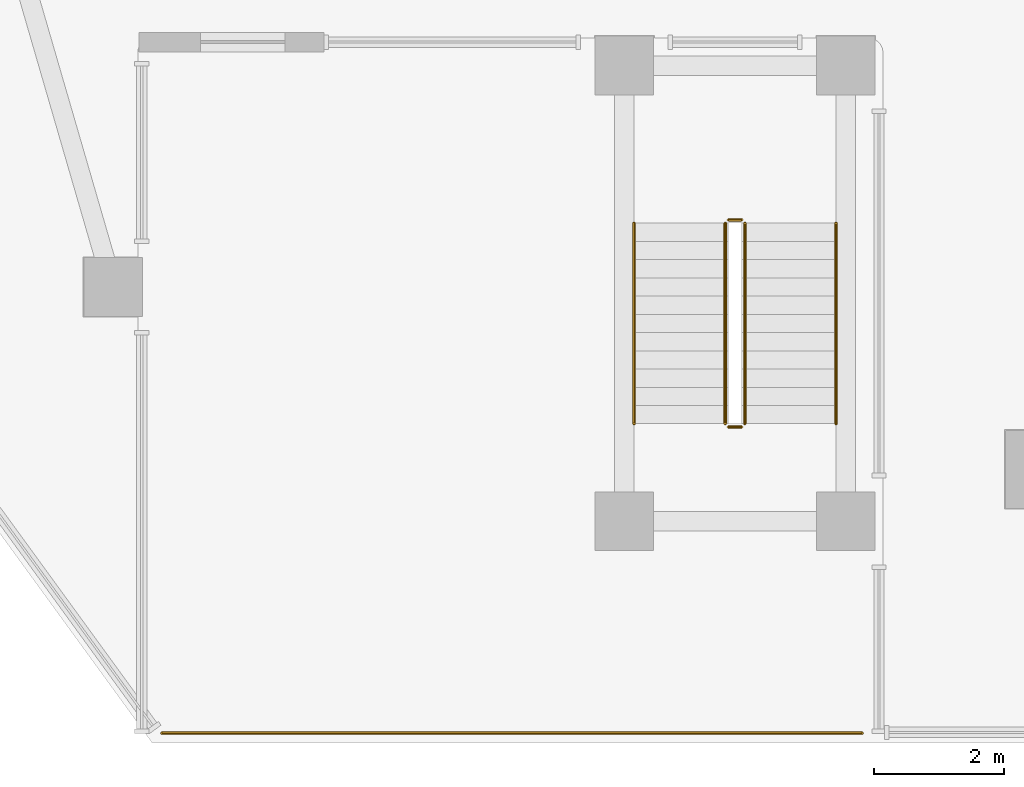
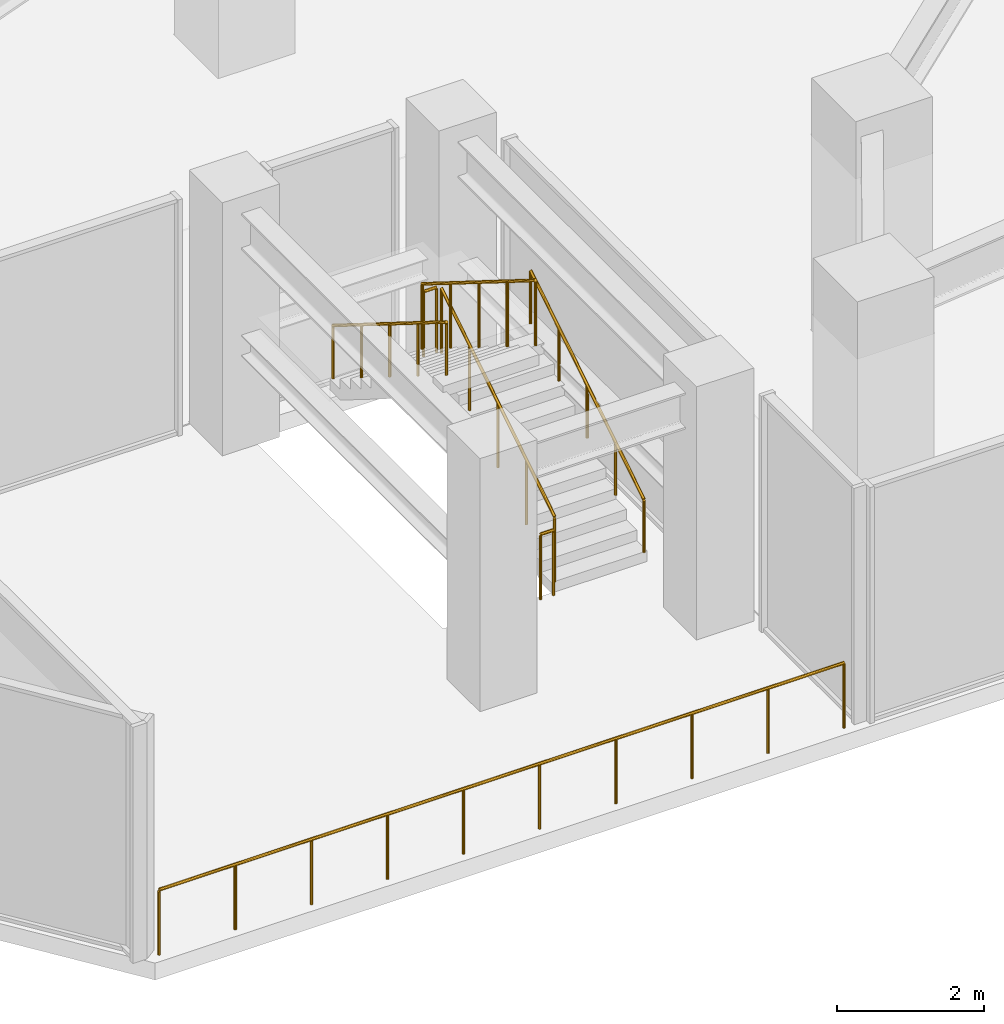
# One storey, part 14 of 21: 7 railings.
"""IFC4 building model written with IfcOpenShell, lengths in metres."""

from ifc_helpers import new_model, si_unit, direction, frame, origin, origin_2d, place, context, subcontext, project, spatial, circle, extrude, material, type_object, element, save


model = new_model("IFC4")

# Units and contexts
model_context = context("Model", 3, precision=1e-05, world=origin(), true_north=direction((0.0, 1.0)))
body_context = subcontext(model_context, "Body", "Model", "MODEL_VIEW")
ifc_project = project(units=[si_unit("LENGTHUNIT", "METRE"), si_unit("AREAUNIT", "SQUARE_METRE"), si_unit("VOLUMEUNIT", "CUBIC_METRE"), si_unit("PLANEANGLEUNIT", "RADIAN"), si_unit("MASSUNIT", "GRAM", prefix="KILO")], contexts=[model_context])

# Site, building, storey
site_placement = place(None, origin())
site = spatial("IfcSite", under=ifc_project, at=site_placement, CompositionType="ELEMENT")
building_placement = place(site_placement, origin())
building = spatial("IfcBuilding", under=site, at=building_placement, Name="Savorim Split Tower", CompositionType="ELEMENT")
storey_placement = place(building_placement, frame((0.0, 0.0, 5.0)))
storey = spatial("IfcBuildingStorey", under=building, at=storey_placement, Name="L01", CompositionType="ELEMENT", Elevation=5.0)

# Railings
ifc_material = material(Name="Galvanised Painted Steel Balustrade", Category="steel")
railing_type_1 = type_object("IfcRailingType", Name="RLG-BAL-1100", PredefinedType="BALUSTRADE", material=ifc_material)
railing_1_placement = place(storey_placement, frame((-36.050048828125, -28.050048828125, 0.0)))
element("IfcRailing", 1, at=railing_1_placement, inside=storey, type_object=railing_type_1, Name="L01 Open-Air Stepped Garden Stair Terrace Balustrade", PredefinedType="BALUSTRADE", context=body_context, shape_type="SweptSolid", body=[
    extrude(circle(Radius=0.02392578125, at=origin_2d()), frame((0.0, 0.0, 1.076171875), z_axis=(1.0, 0.0, 0.0), x_axis=(0.0, 1.0, 0.0)), (0.0, 0.0, 1.0), 10.75),
    extrude(circle(Radius=0.02099609375, at=origin_2d()), origin(), (0.0, 0.0, 1.0), 1.052001953125),
    extrude(circle(Radius=0.02099609375, at=origin_2d()), frame((1.1943359375, 0.0, 0.0)), (0.0, 0.0, 1.0), 1.052001953125),
    extrude(circle(Radius=0.02099609375, at=origin_2d()), frame((2.388916015625, 0.0, 0.0)), (0.0, 0.0, 1.0), 1.052001953125),
    extrude(circle(Radius=0.02099609375, at=origin_2d()), frame((3.583251953125, 0.0, 0.0)), (0.0, 0.0, 1.0), 1.052001953125),
    extrude(circle(Radius=0.02099609375, at=origin_2d()), frame((4.77783203125, 0.0, 0.0)), (0.0, 0.0, 1.0), 1.052001953125),
    extrude(circle(Radius=0.02099609375, at=origin_2d()), frame((5.97216796875, 0.0, 0.0)), (0.0, 0.0, 1.0), 1.052001953125),
    extrude(circle(Radius=0.02099609375, at=origin_2d()), frame((7.166748046875, 0.0, 0.0)), (0.0, 0.0, 1.0), 1.052001953125),
    extrude(circle(Radius=0.02099609375, at=origin_2d()), frame((8.361083984375, 0.0, 0.0)), (0.0, 0.0, 1.0), 1.052001953125),
    extrude(circle(Radius=0.02099609375, at=origin_2d()), frame((9.5556640625, 0.0, 0.0)), (0.0, 0.0, 1.0), 1.052001953125),
    extrude(circle(Radius=0.02099609375, at=origin_2d()), frame((10.75, 0.0, 0.0)), (0.0, 0.0, 1.0), 1.052001953125),
])
railing_type_2 = type_object("IfcRailingType", Name="RLG-HR-900", PredefinedType="HANDRAIL", material=ifc_material)
railing_2_placement = place(storey_placement, frame((-25.699951171875, -23.300048828125, 0.175048828125)))
element("IfcRailing", 2, at=railing_2_placement, inside=storey, type_object=railing_type_2, Name="L01 ST-GDN stair handrail 1", PredefinedType="HANDRAIL", context=body_context, shape_type="SweptSolid", body=[
    extrude(circle(Radius=0.02392578125, at=origin_2d()), frame((0.0, 0.0, 0.8759765625), z_axis=(0.0, 0.847998304005, 0.529998940003), x_axis=(-1.0, 0.0, 0.0)), (0.0, 0.0, 1.0), 3.632080078125),
    extrude(circle(Radius=0.02099609375, at=origin_2d()), origin(), (0.0, 0.0, 1.0), 0.851806640625),
    extrude(circle(Radius=0.02099609375, at=origin_2d()), frame((0.0, 0.77001953125, 0.481201171875)), (0.0, 0.0, 1.0), 0.851806640625),
    extrude(circle(Radius=0.02099609375, at=origin_2d()), frame((0.0, 1.5400390625, 0.96240234375)), (0.0, 0.0, 1.0), 0.851806640625),
    extrude(circle(Radius=0.02099609375, at=origin_2d()), frame((0.0, 2.31005859375, 1.44384765625)), (0.0, 0.0, 1.0), 0.851806640625),
    extrude(circle(Radius=0.02099609375, at=origin_2d()), frame((0.0, 3.080078125, 1.925048828125)), (0.0, 0.0, 1.0), 0.851806640625),
])
railing_3_placement = place(storey_placement, frame((-28.800048828125, -20.219970703125, 2.27490234375)))
element("IfcRailing", 3, at=railing_3_placement, inside=storey, type_object=railing_type_2, Name="L01 ST-GDN stair handrail 2", PredefinedType="HANDRAIL", context=body_context, shape_type="SweptSolid", body=[
    extrude(circle(Radius=0.02392578125, at=origin_2d()), frame((0.0, 0.0, 0.8759765625), z_axis=(0.0, -0.847998304005, 0.529998940003), x_axis=(1.0, 0.0, 0.0)), (0.0, 0.0, 1.0), 3.632080078125),
    extrude(circle(Radius=0.02099609375, at=origin_2d()), origin(), (0.0, 0.0, 1.0), 0.851806640625),
    extrude(circle(Radius=0.02099609375, at=origin_2d()), frame((0.0, -0.77001953125, 0.481201171875)), (0.0, 0.0, 1.0), 0.851806640625),
    extrude(circle(Radius=0.02099609375, at=origin_2d()), frame((0.0, -1.5400390625, 0.96240234375)), (0.0, 0.0, 1.0), 0.851806640625),
    extrude(circle(Radius=0.02099609375, at=origin_2d()), frame((0.0, -2.31005859375, 1.44384765625)), (0.0, 0.0, 1.0), 0.851806640625),
    extrude(circle(Radius=0.02099609375, at=origin_2d()), frame((0.0, -3.080078125, 1.925048828125)), (0.0, 0.0, 1.0), 0.851806640625),
])
railing_type_3 = type_object("IfcRailingType", Name="RLG-STG-1100", PredefinedType="BALUSTRADE", material=ifc_material)
railing_4_placement = place(storey_placement, frame((-27.10009765625, -23.300048828125, 0.175048828125)))
element("IfcRailing", 4, at=railing_4_placement, inside=storey, type_object=railing_type_3, Name="L01 ST-GDN stair guard 1", PredefinedType="BALUSTRADE", context=body_context, shape_type="SweptSolid", body=[
    extrude(circle(Radius=0.02392578125, at=origin_2d()), frame((0.0, 0.0, 1.076171875), z_axis=(0.0, 0.847998304005, 0.529998940003), x_axis=(-1.0, 0.0, 0.0)), (0.0, 0.0, 1.0), 3.632080078125),
    extrude(circle(Radius=0.02099609375, at=origin_2d()), origin(), (0.0, 0.0, 1.0), 1.052001953125),
    extrude(circle(Radius=0.02099609375, at=origin_2d()), frame((0.0, 0.77001953125, 0.481201171875)), (0.0, 0.0, 1.0), 1.052001953125),
    extrude(circle(Radius=0.02099609375, at=origin_2d()), frame((0.0, 1.5400390625, 0.96240234375)), (0.0, 0.0, 1.0), 1.052001953125),
    extrude(circle(Radius=0.02099609375, at=origin_2d()), frame((0.0, 2.31005859375, 1.44384765625)), (0.0, 0.0, 1.0), 1.052001953125),
    extrude(circle(Radius=0.02099609375, at=origin_2d()), frame((0.0, 3.080078125, 1.925048828125)), (0.0, 0.0, 1.0), 1.052001953125),
])
railing_5_placement = place(storey_placement, frame((-27.14990234375, -20.169921875, 2.10009765625)))
element("IfcRailing", 5, at=railing_5_placement, inside=storey, type_object=railing_type_3, Name="L01 ST-GDN stair guard 2", PredefinedType="BALUSTRADE", context=body_context, shape_type="SweptSolid", body=[
    extrude(circle(Radius=0.02392578125, at=origin_2d()), frame((0.0, 0.0, 1.076171875), z_axis=(-1.0, 0.0, 0.0), x_axis=(0.0, -1.0, 0.0)), (0.0, 0.0, 1.0), 0.2001953125),
    extrude(circle(Radius=0.02099609375, at=origin_2d()), origin(), (0.0, 0.0, 1.0), 1.052001953125),
    extrude(circle(Radius=0.02099609375, at=origin_2d()), frame((-0.2001953125, 0.0, 0.0)), (0.0, 0.0, 1.0), 1.052001953125),
])
railing_6_placement = place(storey_placement, frame((-27.39990234375, -20.219970703125, 2.27490234375)))
element("IfcRailing", 6, at=railing_6_placement, inside=storey, type_object=railing_type_3, Name="L01 ST-GDN stair guard 3", PredefinedType="BALUSTRADE", context=body_context, shape_type="SweptSolid", body=[
    extrude(circle(Radius=0.02392578125, at=origin_2d()), frame((0.0, 0.0, 1.076171875), z_axis=(0.0, -0.847998304005, 0.529998940003), x_axis=(1.0, 0.0, 0.0)), (0.0, 0.0, 1.0), 3.632080078125),
    extrude(circle(Radius=0.02099609375, at=origin_2d()), origin(), (0.0, 0.0, 1.0), 1.052001953125),
    extrude(circle(Radius=0.02099609375, at=origin_2d()), frame((0.0, -0.77001953125, 0.481201171875)), (0.0, 0.0, 1.0), 1.052001953125),
    extrude(circle(Radius=0.02099609375, at=origin_2d()), frame((0.0, -1.5400390625, 0.96240234375)), (0.0, 0.0, 1.0), 1.052001953125),
    extrude(circle(Radius=0.02099609375, at=origin_2d()), frame((0.0, -2.31005859375, 1.44384765625)), (0.0, 0.0, 1.0), 1.052001953125),
    extrude(circle(Radius=0.02099609375, at=origin_2d()), frame((0.0, -3.080078125, 1.925048828125)), (0.0, 0.0, 1.0), 1.052001953125),
])
railing_7_placement = place(storey_placement, frame((-27.14990234375, -23.35009765625, 0.0)))
element("IfcRailing", 7, at=railing_7_placement, inside=storey, type_object=railing_type_3, Name="L01 ST-GDN stair guard 4", PredefinedType="BALUSTRADE", context=body_context, shape_type="SweptSolid", body=[
    extrude(circle(Radius=0.02392578125, at=origin_2d()), frame((0.0, 0.0, 1.076171875), z_axis=(-1.0, 0.0, 0.0), x_axis=(0.0, -1.0, 0.0)), (0.0, 0.0, 1.0), 0.2001953125),
    extrude(circle(Radius=0.02099609375, at=origin_2d()), origin(), (0.0, 0.0, 1.0), 1.052001953125),
    extrude(circle(Radius=0.02099609375, at=origin_2d()), frame((-0.2001953125, 0.0, 0.0)), (0.0, 0.0, 1.0), 1.052001953125),
])

save(model, "model.ifc")
